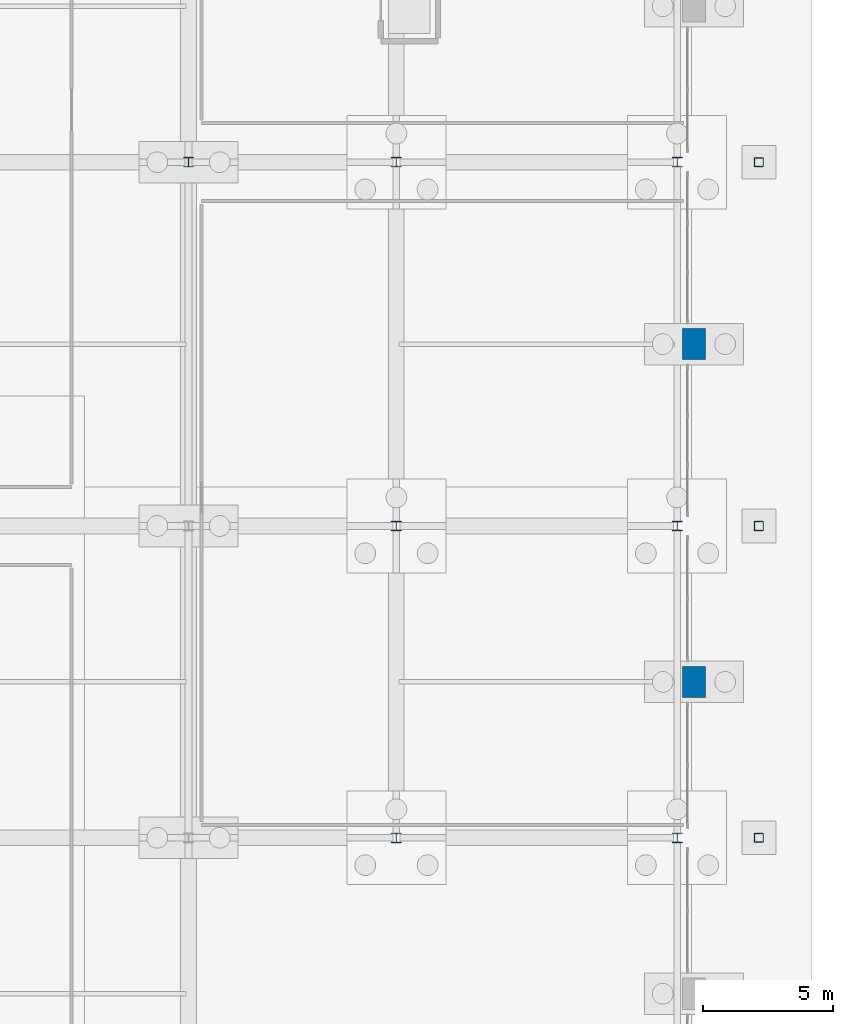
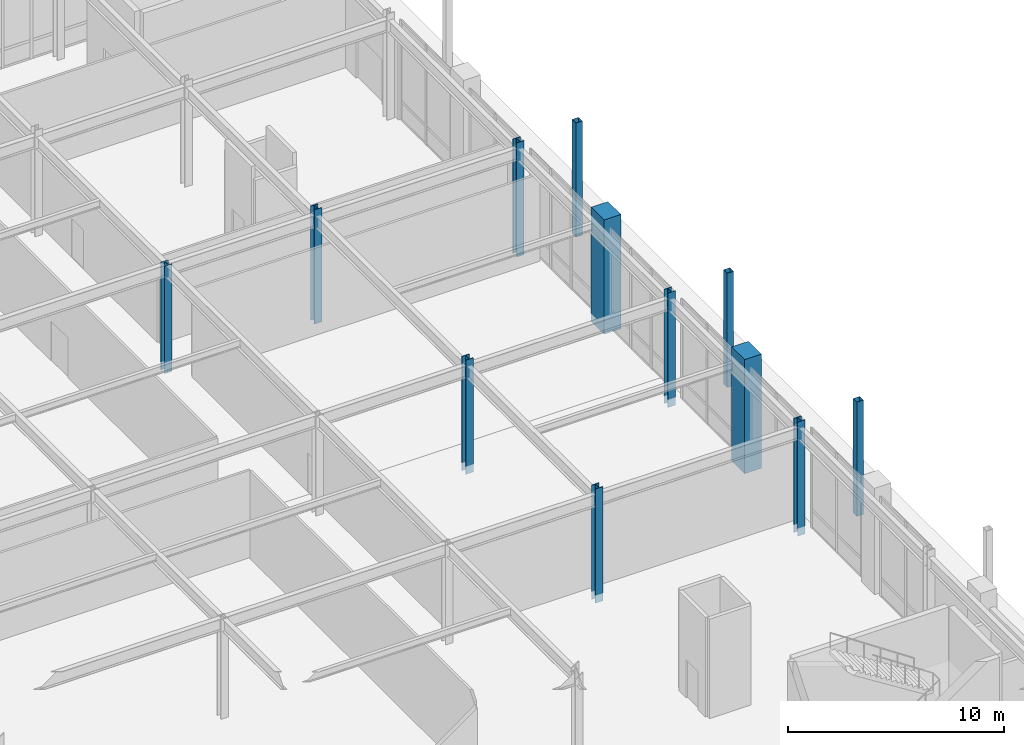
# One storey, part 16 of 143: 12 columns.
"""IFC4 building model written with IfcOpenShell, lengths in metres."""

from ifc_helpers import new_model, si_unit, derived_unit, direction, frame, origin, origin_2d, place, context, subcontext, project, spatial, rectangle, hollow_rectangle, i_section, extrude, material, material_profile, profile_set, type_object, element, save


model = new_model("IFC4")

# Units and contexts
model_context = context("Model", 3, precision=1e-05, world=origin(), true_north=direction((0.0, 1.0)))
body_context = subcontext(model_context, "Body", "Model", "MODEL_VIEW")
ifc_project = project(units=[si_unit("LENGTHUNIT", "METRE"), si_unit("AREAUNIT", "SQUARE_METRE"), si_unit("VOLUMEUNIT", "CUBIC_METRE"), si_unit("PLANEANGLEUNIT", "RADIAN"), si_unit("MASSUNIT", "GRAM", prefix="KILO"), derived_unit("THERMALTRANSMITTANCEUNIT", [(si_unit("MASSUNIT", "GRAM", prefix="KILO"), 1), (si_unit("TIMEUNIT", "SECOND"), -3), (si_unit("THERMODYNAMICTEMPERATUREUNIT", "KELVIN"), -1)])], contexts=[model_context])

# Site, building, storey
site_placement = place(None, origin())
site = spatial("IfcSite", under=ifc_project, at=site_placement, CompositionType="ELEMENT")
building_placement = place(site_placement, origin())
building = spatial("IfcBuilding", under=site, at=building_placement, Name="Valcora Ridge Arena", CompositionType="ELEMENT")
storey_placement = place(building_placement, origin())
storey = spatial("IfcBuildingStorey", under=building, at=storey_placement, Name="L00", CompositionType="ELEMENT", Elevation=0.0)

# Columns
ifc_material_1 = material(Name="Bush-hammered Andean travertine architectural concrete C45/55", Category="masonry")
ifc_material_profile_1 = material_profile(ifc_material_1, rectangle(XDim=0.89990234375, YDim=1.199951171875, at=origin_2d()), Name="RC 900x1200")
ifc_profile_set_1 = profile_set([ifc_material_profile_1], Name="Bush-hammered Andean travertine architectural concrete C45/55")
column_type_1 = type_object("IfcColumnType", Name="TY-COLUMN-C-BUTT-1200", PredefinedType="PILASTER", material=ifc_profile_set_1)
for number, where, z_axis, x_axis, name in (
    (1, (187.449951171875, 34.0, -0.449951171875), (0.0, 0.0, 1.0), (1.0, 0.0, 0.0), "C-BUTT-1200 COL-C-BUTT-1200-0377"),
    (2, (187.449951171875, 47.0, -0.449951171875), (0.0, 0.0, 1.0), (1.0, 0.0, 0.0), "C-BUTT-1200 COL-C-BUTT-1200-0380"),
):
    element("IfcColumn", number, at=place(storey_placement, frame(where, z_axis=z_axis, x_axis=x_axis)), inside=storey, type_object=column_type_1, Name=name, PredefinedType="PILASTER", context=body_context, shape_type="SweptSolid", body=[
        extrude(rectangle(XDim=0.89990234375, YDim=1.199951171875, at=origin_2d()), origin(), (0.0, 0.0, 1.0), 6.449951171875),
    ])
ifc_material_2 = material(Name="Steel ASTM A500 Grade C", Category="steel")
ifc_material_profile_2 = material_profile(ifc_material_2, hollow_rectangle(XDim=0.35009765625, YDim=0.35009765625, WallThickness=0.01611328125, at=origin_2d()), Name="HSS350X350X16")
ifc_profile_set_2 = profile_set([ifc_material_profile_2], Name="Steel ASTM A500 Grade C")
column_type_2 = type_object("IfcColumnType", Name="TY-COLUMN-C-COL350", PredefinedType="COLUMN", material=ifc_profile_set_2)
for number, where, z_axis, x_axis, name in (
    (3, (189.949951171875, 28.0, -0.449951171875), (0.0, 0.0, 1.0), (1.0, 0.0, 0.0), "C-COL350 COL-C-COL350-0028"),
    (4, (189.949951171875, 40.0, -0.449951171875), (0.0, 0.0, 1.0), (1.0, 0.0, 0.0), "C-COL350 COL-C-COL350-0031"),
    (5, (189.949951171875, 54.0, -0.449951171875), (0.0, 0.0, 1.0), (1.0, 0.0, 0.0), "C-COL350 COL-C-COL350-0034"),
):
    element("IfcColumn", number, at=place(storey_placement, frame(where, z_axis=z_axis, x_axis=x_axis)), inside=storey, type_object=column_type_2, Name=name, PredefinedType="COLUMN", context=body_context, shape_type="SweptSolid", body=[
        extrude(hollow_rectangle(XDim=0.35009765625, YDim=0.35009765625, WallThickness=0.01611328125, at=origin_2d()), origin(), (0.0, 0.0, 1.0), 6.449951171875),
    ])
ifc_material_3 = material(Name="Steel ASTM A572 Grade 50", Category="steel")
ifc_material_profile_3 = material_profile(ifc_material_3, i_section(OverallWidth=0.39892578125, OverallDepth=0.385986328125, WebThickness=0.02099609375, FlangeThickness=0.033203125, FilletRadius=0.01806640625, at=origin_2d()), Name="W14X176")
ifc_profile_set_3 = profile_set([ifc_material_profile_3], Name="Steel ASTM A572 Grade 50")
column_type_3 = type_object("IfcColumnType", Name="TY-COLUMN-C-STL14A", PredefinedType="COLUMN", material=ifc_profile_set_3)
column_placement = place(storey_placement, frame((168.0, 54.0, -0.449951171875), z_axis=(0.0, 0.0, 1.0), x_axis=(1.0, 0.0, 0.0)))
element("IfcColumn", 6, at=column_placement, inside=storey, type_object=column_type_3, Name="C-STL14A COL-C-STL14A-0026", PredefinedType="COLUMN", context=body_context, shape_type="SweptSolid", body=[
    extrude(i_section(OverallWidth=0.39892578125, OverallDepth=0.385986328125, WebThickness=0.02099609375, FlangeThickness=0.033203125, FilletRadius=0.01806640625, at=origin_2d()), origin(), (0.0, 0.0, 1.0), 6.070068359375),
])
for number, where, z_axis, x_axis, name in (
    (7, (176.0, 28.0, -0.449951171875), (0.0, 0.0, 1.0), (1.0, 0.0, 0.0), "C-STL14A COL-C-STL14A-0030"),
    (8, (176.0, 40.0, -0.449951171875), (0.0, 0.0, 1.0), (1.0, 0.0, 0.0), "C-STL14A COL-C-STL14A-0031"),
    (9, (176.0, 54.0, -0.449951171875), (0.0, 0.0, 1.0), (1.0, 0.0, 0.0), "C-STL14A COL-C-STL14A-0032"),
    (10, (186.800048828125, 28.0, -0.449951171875), (0.0, 0.0, 1.0), (1.0, 0.0, 0.0), "C-STL14A COL-C-STL14A-0037"),
    (11, (186.800048828125, 40.0, -0.449951171875), (0.0, 0.0, 1.0), (1.0, 0.0, 0.0), "C-STL14A COL-C-STL14A-0038"),
    (12, (186.800048828125, 54.0, -0.449951171875), (0.0, 0.0, 1.0), (1.0, 0.0, 0.0), "C-STL14A COL-C-STL14A-0039"),
):
    element("IfcColumn", number, at=place(storey_placement, frame(where, z_axis=z_axis, x_axis=x_axis)), inside=storey, type_object=column_type_3, Name=name, PredefinedType="COLUMN", context=body_context, shape_type="SweptSolid", body=[
        extrude(i_section(OverallWidth=0.39892578125, OverallDepth=0.385986328125, WebThickness=0.02099609375, FlangeThickness=0.033203125, FilletRadius=0.01806640625, at=origin_2d()), origin(), (0.0, 0.0, 1.0), 6.449951171875),
    ])

save(model, "model.ifc")
